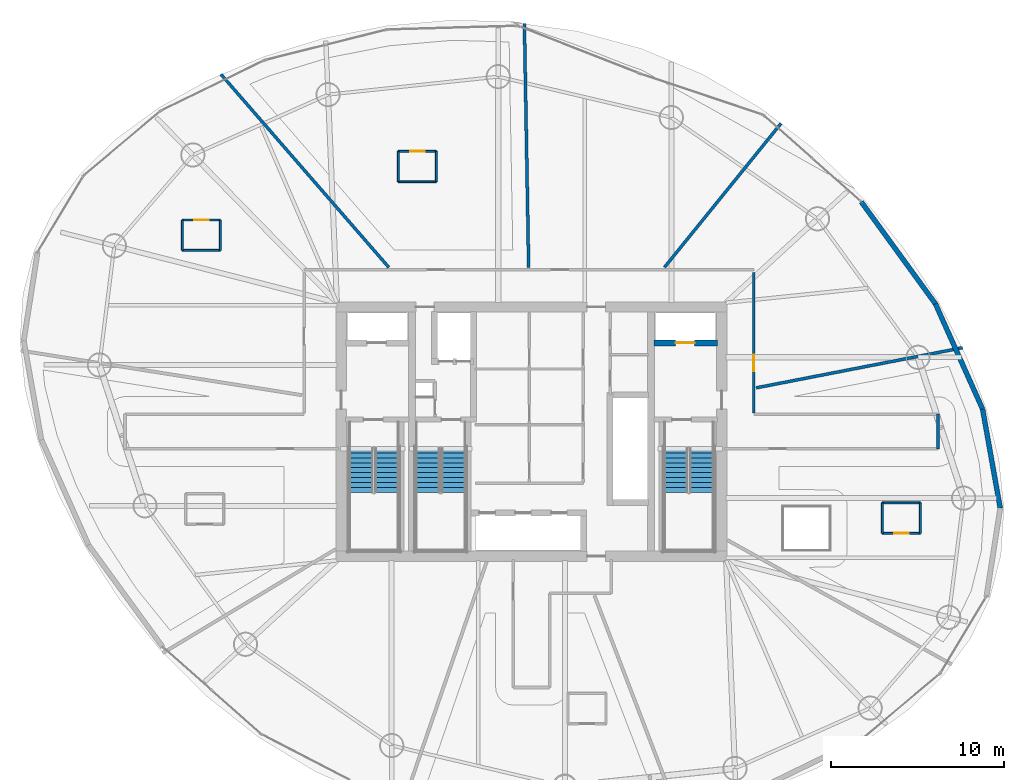
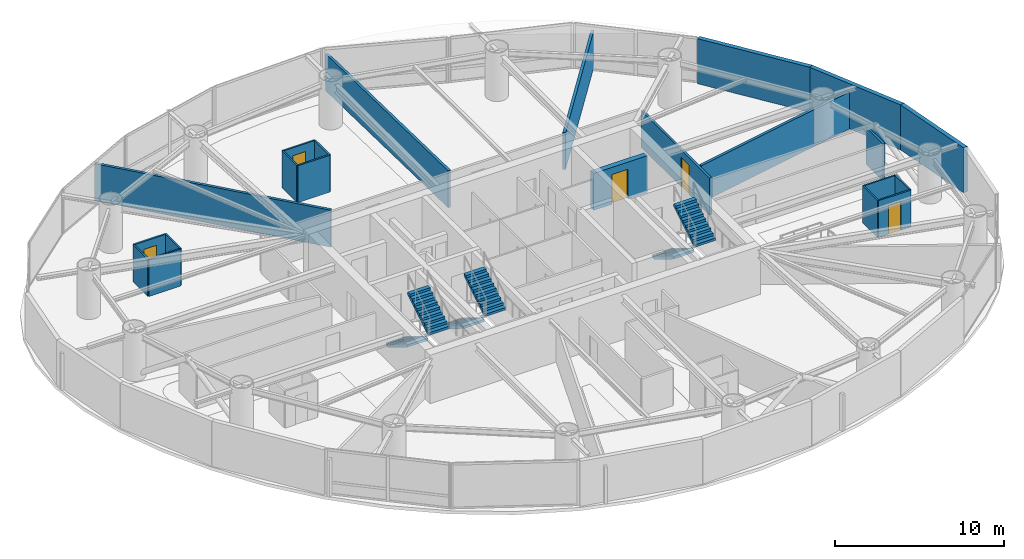
# One storey, part 16 of 20: 22 walls, 6 stair flights, 5 doors, 5 openings, 3 elements without a shape of their own.
"""IFC4 building model written with IfcOpenShell, lengths in metres."""

from ifc_helpers import new_model, si_unit, direction, frame, frame_2d, origin, place, context, subcontext, project, spatial, polyline, rectangle, outline, extrude, material, layer, layer_set, type_object, element, fill, aggregate, save


model = new_model("IFC4")

# Units and contexts
model_context = context("Model", 3, precision=1e-05, world=origin(), true_north=direction((0.0, 1.0)))
body_context = subcontext(model_context, "Body", "Model", "MODEL_VIEW")
ifc_project = project(units=[si_unit("LENGTHUNIT", "METRE"), si_unit("AREAUNIT", "SQUARE_METRE"), si_unit("VOLUMEUNIT", "CUBIC_METRE"), si_unit("PLANEANGLEUNIT", "RADIAN"), si_unit("MASSUNIT", "GRAM", prefix="KILO")], contexts=[model_context])

# Site, building, storey
site_placement = place(None, origin())
site = spatial("IfcSite", under=ifc_project, at=site_placement, CompositionType="ELEMENT")
building_placement = place(site_placement, origin())
building = spatial("IfcBuilding", under=site, at=building_placement, Name="Bramvorn Convention Spire", CompositionType="ELEMENT")
storey_placement = place(building_placement, frame((0.0, 0.0, 113.300048828125)))
storey = spatial("IfcBuildingStorey", under=building, at=storey_placement, Name="L27", CompositionType="ELEMENT", Elevation=113.300048828125)

# Wall, opening, door
ifc_material_1 = material(Name="Concrete C50/60", Category="concrete")
ifc_layer_1 = layer(ifc_material_1, 0.35009765625)
ifc_layer_set_1 = layer_set([ifc_layer_1], Name="Concrete C50/60 - WL-CORE-INT-350")
wall_type_1 = type_object("IfcWallType", Name="WL-CORE-INT-350", PredefinedType="SHEAR", material=ifc_layer_set_1)
wall_1_placement = place(storey_placement, frame((45.080078125, 31.1201171875, 0.0), z_axis=(0.0, 0.0, 1.0), x_axis=(1.0, 0.0, 0.0)))
wall_1 = element("IfcWall", 1, at=wall_1_placement, inside=storey, type_object=wall_type_1, Name="L27 FE2 shaft front wall", PredefinedType="SHEAR", context=body_context, shape_type="SweptSolid", body=[
    extrude(rectangle(XDim=3.669921875, YDim=0.35009765625, at=frame_2d((1.8349609375, 0.0))), origin(), (0.0, 0.0, 1.0), 2.675048828125),
])
opening_1_placement = place(wall_1_placement, frame((1.25, 0.0, 0.0)))
opening_1 = element("IfcOpeningElement", 2, at=opening_1_placement, cuts=wall_1, Name="Opening LD-110", PredefinedType="OPENING", context=body_context, shape_type="SweptSolid", body=[
    extrude(rectangle(XDim=1.10009765625, YDim=2.14990234375, at=frame_2d((0.550048828125, 1.074951171875))), frame((0.0, 0.18505859375, 0.0), z_axis=(0.0, -1.0, 0.0), x_axis=(1.0, 0.0, 0.0)), (0.0, 0.0, 1.0), 0.3701171875),
])
ifc_material_2 = material(Name="Firefighting & Service Lift Sliding Landing Door", Category="steel")
door_type_1 = type_object("IfcDoorType", Name="DR-LIFT-LD-1100", OperationType="NOTDEFINED", PredefinedType="DOOR", material=ifc_material_2)
door_1_placement = place(opening_1_placement, origin())
door_1 = element("IfcDoor", 3, at=door_1_placement, inside=storey, type_object=door_type_1, Name="L27 Lift FE2 Sliding Landing Door", OperationType="SLIDING_TO_LEFT", OverallHeight=2.14990234375, OverallWidth=1.10009765625, PredefinedType="DOOR", context=body_context, shape_type="SweptSolid", body=[
    extrude(rectangle(XDim=1.10009765625, YDim=2.14990234375, at=frame_2d((0.550048828125, 1.074951171875))), frame((0.0, 0.02490234375, 0.0), z_axis=(0.0, -1.0, 0.0), x_axis=(1.0, 0.0, 0.0)), (0.0, 0.0, 1.0), 0.050048828125),
])
fill(opening_1, door_1)

# Walls
ifc_material_3 = material(Name="Precast Concrete C40/50 with Bronze Terracotta Rainscreen", Category="masonry")
ifc_layer_2 = layer(ifc_material_3, 0.300048828125)
ifc_layer_set_2 = layer_set([ifc_layer_2], Name="Precast Concrete C40/50 with Bronze Terracotta Rainscreen - WL-EXT-BRONZE-300")
wall_type_2 = type_object("IfcWallType", Name="WL-EXT-BRONZE-300", PredefinedType="SOLIDWALL", material=ifc_layer_set_2)
wall_2_placement = place(storey_placement, frame((64.07861328125, 27.29833984375, 0.0), z_axis=(0.0, 0.0, 1.0), x_axis=(0.1752202949, -0.984529252107, 0.0)))
element("IfcWall", 4, at=wall_2_placement, inside=storey, type_object=wall_type_2, Name="L27 expressed bronze Gothic lancet pier wall 02", PredefinedType="SOLIDWALL", context=body_context, shape_type="SweptSolid", body=[
    extrude(rectangle(XDim=5.82275390625, YDim=0.280029296875, at=frame_2d((2.911376953125, 0.0))), origin(), (0.0, 0.0, 1.0), 3.260009765625),
])
wall_3_placement = place(storey_placement, frame((61.35302734375, 33.380615234375, 0.0), z_axis=(0.0, 0.0, 1.0), x_axis=(0.408937052671, -0.912562593444, 0.0)))
element("IfcWall", 5, at=wall_3_placement, inside=storey, type_object=wall_type_2, Name="L27 expressed bronze Gothic lancet pier wall 03", PredefinedType="SOLIDWALL", context=body_context, shape_type="SweptSolid", body=[
    extrude(rectangle(XDim=6.6650390625, YDim=0.280029296875, at=frame_2d((3.33251953125, 0.0))), origin(), (0.0, 0.0, 1.0), 3.260009765625),
])
wall_4_placement = place(storey_placement, frame((57.064453125, 39.278076171875, 0.0), z_axis=(0.0, 0.0, 1.0), x_axis=(0.588127899996, -0.808767935347, 0.0)))
element("IfcWall", 6, at=wall_4_placement, inside=storey, type_object=wall_type_2, Name="L27 expressed bronze Gothic lancet pier wall 04", PredefinedType="SOLIDWALL", context=body_context, shape_type="SweptSolid", body=[
    extrude(rectangle(XDim=7.2919921875, YDim=0.280029296875, at=frame_2d((3.64599609375, 0.0))), origin(), (0.0, 0.0, 1.0), 3.260009765625),
])
ifc_material_4 = material(Name="Lightweight En-Suite & Wet-Wall Partition", Category="gypsum")
ifc_layer_3 = layer(ifc_material_4, 0.110107421875)
ifc_layer_set_3 = layer_set([ifc_layer_3], Name="Lightweight En-Suite & Wet-Wall Partition - WL-PART-110")
wall_type_3 = type_object("IfcWallType", Name="WL-PART-110", PredefinedType="PARTITIONING", material=ifc_layer_set_3)
wall_5_placement = place(storey_placement, frame((30.302001953125, 40.44140625, 0.0), z_axis=(0.0, 0.0, 1.0), x_axis=(1.0, 0.0, 0.0)))
element("IfcWall", 7, at=wall_5_placement, inside=storey, type_object=wall_type_3, Name="Hotel Suite 2703 en-suite south wall", PredefinedType="PARTITIONING", context=body_context, shape_type="SweptSolid", body=[
    extrude(rectangle(XDim=2.199951171875, YDim=0.110107421875, at=frame_2d((1.10009765625, 0.0))), origin(), (0.0, 0.0, 1.0), 2.675048828125),
])

# Wall, opening, door
wall_6_placement = place(storey_placement, frame((30.302001953125, 42.201416015625, 0.0), z_axis=(0.0, 0.0, 1.0), x_axis=(1.0, 0.0, 0.0)))
wall_6 = element("IfcWall", 8, at=wall_6_placement, inside=storey, type_object=wall_type_3, Name="Hotel Suite 2703 en-suite north wall", PredefinedType="PARTITIONING", context=body_context, shape_type="SweptSolid", body=[
    extrude(rectangle(XDim=2.199951171875, YDim=0.110107421875, at=frame_2d((1.10009765625, 0.0))), origin(), (0.0, 0.0, 1.0), 2.675048828125),
])
opening_2_placement = place(wall_6_placement, frame((0.679931640625, 0.0, 0.0)))
opening_2 = element("IfcOpeningElement", 9, at=opening_2_placement, cuts=wall_6, Name="Opening DI-085", PredefinedType="OPENING", context=body_context, shape_type="SweptSolid", body=[
    extrude(rectangle(XDim=0.85009765625, YDim=2.10009765625, at=frame_2d((0.425048828125, 1.050048828125))), frame((0.0, 0.06494140625, 0.0), z_axis=(0.0, -1.0, 0.0), x_axis=(1.0, 0.0, 0.0)), (0.0, 0.0, 1.0), 0.130126953125),
])
ifc_material_5 = material(Name="En-Suite & Restroom Privacy Door", Category="wood")
door_type_2 = type_object("IfcDoorType", Name="DR-INT-850", OperationType="NOTDEFINED", PredefinedType="DOOR", material=ifc_material_5)
door_2_placement = place(opening_2_placement, origin())
door_2 = element("IfcDoor", 10, at=door_2_placement, inside=storey, type_object=door_type_2, Name="Hotel Suite 2703 En-Suite Bathroom door", OperationType="SINGLE_SWING_LEFT", OverallHeight=2.10009765625, OverallWidth=0.85009765625, PredefinedType="DOOR", context=body_context, shape_type="SweptSolid", body=[
    extrude(rectangle(XDim=0.85009765625, YDim=2.10009765625, at=frame_2d((0.425048828125, 1.050048828125))), frame((0.0, 0.02490234375, 0.0), z_axis=(0.0, -1.0, 0.0), x_axis=(1.0, 0.0, 0.0)), (0.0, 0.0, 1.0), 0.050048828125),
])
fill(opening_2, door_2)

# Walls
for number, where, z_axis, x_axis, name in (
    (11, (30.302001953125, 40.44140625, 0.0), (0.0, 0.0, 1.0), (0.0, 1.0, 0.0), "Hotel Suite 2703 en-suite west wall"),
    (12, (32.501953125, 40.44140625, 0.0), (0.0, 0.0, 1.0), (0.0, 1.0, 0.0), "Hotel Suite 2703 en-suite east wall"),
):
    element("IfcWall", number, at=place(storey_placement, frame(where, z_axis=z_axis, x_axis=x_axis)), inside=storey, type_object=wall_type_3, Name=name, PredefinedType="PARTITIONING", context=body_context, shape_type="SweptSolid", body=[
        extrude(rectangle(XDim=1.760009765625, YDim=0.110107421875, at=frame_2d((0.8798828125, 0.0))), origin(), (0.0, 0.0, 1.0), 2.675048828125),
    ])
wall_7_placement = place(storey_placement, frame((17.816162109375, 36.469482421875, 0.0), z_axis=(0.0, 0.0, 1.0), x_axis=(1.0, 0.0, 0.0)))
element("IfcWall", 13, at=wall_7_placement, inside=storey, type_object=wall_type_3, Name="Hotel Suite 2704 en-suite south wall", PredefinedType="PARTITIONING", context=body_context, shape_type="SweptSolid", body=[
    extrude(rectangle(XDim=2.199951171875, YDim=0.110107421875, at=frame_2d((1.10009765625, 0.0))), origin(), (0.0, 0.0, 1.0), 2.675048828125),
])

# Wall, opening, door
wall_8_placement = place(storey_placement, frame((17.816162109375, 38.2294921875, 0.0), z_axis=(0.0, 0.0, 1.0), x_axis=(1.0, 0.0, 0.0)))
wall_8 = element("IfcWall", 14, at=wall_8_placement, inside=storey, type_object=wall_type_3, Name="Hotel Suite 2704 en-suite north wall", PredefinedType="PARTITIONING", context=body_context, shape_type="SweptSolid", body=[
    extrude(rectangle(XDim=2.199951171875, YDim=0.110107421875, at=frame_2d((1.10009765625, 0.0))), origin(), (0.0, 0.0, 1.0), 2.675048828125),
])
opening_3_placement = place(wall_8_placement, frame((0.679931640625, 0.0, 0.0)))
opening_3 = element("IfcOpeningElement", 15, at=opening_3_placement, cuts=wall_8, Name="Opening DI-085", PredefinedType="OPENING", context=body_context, shape_type="SweptSolid", body=[
    extrude(rectangle(XDim=0.85009765625, YDim=2.10009765625, at=frame_2d((0.425048828125, 1.050048828125))), frame((0.0, 0.06494140625, 0.0), z_axis=(0.0, -1.0, 0.0), x_axis=(1.0, 0.0, 0.0)), (0.0, 0.0, 1.0), 0.130126953125),
])
door_3_placement = place(opening_3_placement, origin())
door_3 = element("IfcDoor", 16, at=door_3_placement, inside=storey, type_object=door_type_2, Name="Hotel Suite 2704 En-Suite Bathroom door", OperationType="SINGLE_SWING_LEFT", OverallHeight=2.10009765625, OverallWidth=0.85009765625, PredefinedType="DOOR", context=body_context, shape_type="SweptSolid", body=[
    extrude(rectangle(XDim=0.85009765625, YDim=2.10009765625, at=frame_2d((0.425048828125, 1.050048828125))), frame((0.0, 0.02490234375, 0.0), z_axis=(0.0, -1.0, 0.0), x_axis=(1.0, 0.0, 0.0)), (0.0, 0.0, 1.0), 0.050048828125),
])
fill(opening_3, door_3)

# Walls
for number, where, z_axis, x_axis, name in (
    (17, (17.816162109375, 36.469482421875, 0.0), (0.0, 0.0, 1.0), (0.0, 1.0, 0.0), "Hotel Suite 2704 en-suite west wall"),
    (18, (20.01611328125, 36.469482421875, 0.0), (0.0, 0.0, 1.0), (0.0, 1.0, 0.0), "Hotel Suite 2704 en-suite east wall"),
):
    element("IfcWall", number, at=place(storey_placement, frame(where, z_axis=z_axis, x_axis=x_axis)), inside=storey, type_object=wall_type_3, Name=name, PredefinedType="PARTITIONING", context=body_context, shape_type="SweptSolid", body=[
        extrude(rectangle(XDim=1.760009765625, YDim=0.110107421875, at=frame_2d((0.8798828125, 0.0))), origin(), (0.0, 0.0, 1.0), 2.675048828125),
    ])

# Wall, opening, door
wall_9_placement = place(storey_placement, frame((58.285400390625, 20.1142578125, 0.0), z_axis=(0.0, 0.0, 1.0), x_axis=(1.0, 0.0, 0.0)))
wall_9 = element("IfcWall", 19, at=wall_9_placement, inside=storey, type_object=wall_type_3, Name="Hotel Suite 2709 en-suite south wall", PredefinedType="PARTITIONING", context=body_context, shape_type="SweptSolid", body=[
    extrude(rectangle(XDim=2.199951171875, YDim=0.110107421875, at=frame_2d((1.10009765625, 0.0))), origin(), (0.0, 0.0, 1.0), 2.675048828125),
])
opening_4_placement = place(wall_9_placement, frame((0.679931640625, 0.0, 0.0)))
opening_4 = element("IfcOpeningElement", 20, at=opening_4_placement, cuts=wall_9, Name="Opening DI-085", PredefinedType="OPENING", context=body_context, shape_type="SweptSolid", body=[
    extrude(rectangle(XDim=0.85009765625, YDim=2.10009765625, at=frame_2d((0.425048828125, 1.050048828125))), frame((0.0, 0.06494140625, 0.0), z_axis=(0.0, -1.0, 0.0), x_axis=(1.0, 0.0, 0.0)), (0.0, 0.0, 1.0), 0.130126953125),
])
door_4_placement = place(opening_4_placement, origin())
door_4 = element("IfcDoor", 21, at=door_4_placement, inside=storey, type_object=door_type_2, Name="Hotel Suite 2709 En-Suite Bathroom door", OperationType="SINGLE_SWING_LEFT", OverallHeight=2.10009765625, OverallWidth=0.85009765625, PredefinedType="DOOR", context=body_context, shape_type="SweptSolid", body=[
    extrude(rectangle(XDim=0.85009765625, YDim=2.10009765625, at=frame_2d((0.425048828125, 1.050048828125))), frame((0.0, 0.02490234375, 0.0), z_axis=(0.0, -1.0, 0.0), x_axis=(1.0, 0.0, 0.0)), (0.0, 0.0, 1.0), 0.050048828125),
])
fill(opening_4, door_4)

# Walls
wall_10_placement = place(storey_placement, frame((58.285400390625, 21.874267578125, 0.0), z_axis=(0.0, 0.0, 1.0), x_axis=(1.0, 0.0, 0.0)))
element("IfcWall", 22, at=wall_10_placement, inside=storey, type_object=wall_type_3, Name="Hotel Suite 2709 en-suite north wall", PredefinedType="PARTITIONING", context=body_context, shape_type="SweptSolid", body=[
    extrude(rectangle(XDim=2.199951171875, YDim=0.110107421875, at=frame_2d((1.10009765625, 0.0))), origin(), (0.0, 0.0, 1.0), 2.675048828125),
])
for number, where, z_axis, x_axis, name in (
    (23, (58.285400390625, 20.1142578125, 0.0), (0.0, 0.0, 1.0), (0.0, 1.0, 0.0), "Hotel Suite 2709 en-suite west wall"),
    (24, (60.4853515625, 20.1142578125, 0.0), (0.0, 0.0, 1.0), (0.0, 1.0, 0.0), "Hotel Suite 2709 en-suite east wall"),
):
    element("IfcWall", number, at=place(storey_placement, frame(where, z_axis=z_axis, x_axis=x_axis)), inside=storey, type_object=wall_type_3, Name=name, PredefinedType="PARTITIONING", context=body_context, shape_type="SweptSolid", body=[
        extrude(rectangle(XDim=1.760009765625, YDim=0.110107421875, at=frame_2d((0.8798828125, 0.0))), origin(), (0.0, 0.0, 1.0), 2.675048828125),
    ])

# Wall, opening, door
ifc_material_6 = material(Name="Acoustic Metal-Stud Tenant/Corridor Partition", Category="gypsum")
ifc_layer_4 = layer(ifc_material_6, 0.14990234375)
ifc_layer_set_4 = layer_set([ifc_layer_4], Name="Acoustic Metal-Stud Tenant/Corridor Partition - WL-PART-150")
wall_type_4 = type_object("IfcWallType", Name="WL-PART-150", PredefinedType="PARTITIONING", material=ifc_layer_set_4)
wall_11_placement = place(storey_placement, frame((50.85009765625, 27.080078125, 0.0), z_axis=(0.0, 0.0, 1.0), x_axis=(0.0, 1.0, 0.0)))
wall_11 = element("IfcWall", 25, at=wall_11_placement, inside=storey, type_object=wall_type_4, Name="L27 NE gallery cheek", PredefinedType="PARTITIONING", context=body_context, shape_type="SweptSolid", body=[
    extrude(rectangle(XDim=8.119873046875, YDim=0.14990234375, at=frame_2d((4.06005859375, 0.0))), origin(), (0.0, 0.0, 1.0), 2.675048828125),
])
opening_5_placement = place(wall_11_placement, frame((2.41357421875, 0.0, 0.0)))
opening_5 = element("IfcOpeningElement", 26, at=opening_5_placement, cuts=wall_11, Name="Opening DH-095", PredefinedType="OPENING", context=body_context, shape_type="SweptSolid", body=[
    extrude(rectangle(XDim=0.949951171875, YDim=2.14990234375, at=frame_2d((0.47509765625, 1.074951171875))), frame((0.0, 0.0849609375, 0.0), z_axis=(0.0, -1.0, 0.0), x_axis=(1.0, 0.0, 0.0)), (0.0, 0.0, 1.0), 0.169921875),
])
ifc_material_7 = material(Name="Solid-Core Acoustic Guestroom Entry Door", Category="wood")
door_type_3 = type_object("IfcDoorType", Name="DR-HOTEL-950", OperationType="NOTDEFINED", PredefinedType="DOOR", material=ifc_material_7)
door_5_placement = place(opening_5_placement, origin())
door_5 = element("IfcDoor", 27, at=door_5_placement, inside=storey, type_object=door_type_3, Name="L27 Hospitality Lounge 1 door", OperationType="SINGLE_SWING_RIGHT", OverallHeight=2.14990234375, OverallWidth=0.949951171875, PredefinedType="DOOR", context=body_context, shape_type="SweptSolid", body=[
    extrude(rectangle(XDim=0.949951171875, YDim=2.14990234375, at=frame_2d((0.47509765625, 1.074951171875))), frame((0.0, 0.02490234375, 0.0), z_axis=(0.0, -1.0, 0.0), x_axis=(1.0, 0.0, 0.0)), (0.0, 0.0, 1.0), 0.050048828125),
])
fill(opening_5, door_5)

# Walls
wall_12_placement = place(storey_placement, frame((61.5, 25.0, 0.0), z_axis=(0.0, 0.0, 1.0), x_axis=(0.0, 1.0, 0.0)))
element("IfcWall", 28, at=wall_12_placement, inside=storey, type_object=wall_type_4, Name="L27 East wing spine end wall", PredefinedType="PARTITIONING", context=body_context, shape_type="SweptSolid", body=[
    extrude(rectangle(XDim=2.0, YDim=0.14990234375, at=frame_2d((1.0, 0.0))), origin(), (0.0, 0.0, 1.0), 2.675048828125),
])
ifc_material_8 = material(Name="Double-Stud Acoustic Hotel/Suite Partition", Category="gypsum")
ifc_layer_5 = layer(ifc_material_8, 0.175048828125)
ifc_layer_set_5 = layer_set([ifc_layer_5], Name="Double-Stud Acoustic Hotel/Suite Partition - WL-PART-175")
wall_type_5 = type_object("IfcWallType", Name="WL-PART-175", PredefinedType="PARTITIONING", material=ifc_layer_set_5)
wall_13_placement = place(storey_placement, frame((50.989990234375, 28.52490234375, 0.0), z_axis=(0.0, 0.0, 1.0), x_axis=(0.981623433526, 0.190828286041, 0.0)))
element("IfcWall", 29, at=wall_13_placement, inside=storey, type_object=wall_type_5, Name="L27 Guestroom demising wall 1", PredefinedType="PARTITIONING", context=body_context, shape_type="SweptSolid", body=[
    extrude(rectangle(XDim=12.16162109375, YDim=0.175048828125, at=frame_2d((6.080810546875, 0.0))), origin(), (0.0, 0.0, 1.0), 2.675048828125),
])
wall_14_placement = place(storey_placement, frame((45.684814453125, 35.489990234375, 0.0), z_axis=(0.0, 0.0, 1.0), x_axis=(0.629313518397, 0.777151526771, 0.0)))
element("IfcWall", 30, at=wall_14_placement, inside=storey, type_object=wall_type_5, Name="L27 Guestroom demising wall 2", PredefinedType="PARTITIONING", context=body_context, shape_type="SweptSolid", body=[
    extrude(rectangle(XDim=10.720947265625, YDim=0.175048828125, at=frame_2d((5.3603515625, 0.0))), origin(), (0.0, 0.0, 1.0), 2.675048828125),
])
wall_15_placement = place(storey_placement, frame((37.83447265625, 35.489990234375, 0.0), z_axis=(0.0, 0.0, 1.0), x_axis=(-0.017456722222, 0.999847619815, 0.0)))
element("IfcWall", 31, at=wall_15_placement, inside=storey, type_object=wall_type_5, Name="L27 Guestroom demising wall 3", PredefinedType="PARTITIONING", context=body_context, shape_type="SweptSolid", body=[
    extrude(rectangle(XDim=14.097412109375, YDim=0.175048828125, at=frame_2d((7.048828125, 0.0))), origin(), (0.0, 0.0, 1.0), 2.675048828125),
])
wall_16_placement = place(storey_placement, frame((29.75048828125, 35.489990234375, 0.0), z_axis=(0.0, 0.0, 1.0), x_axis=(-0.656052099028, 0.754715604291, 0.0)))
element("IfcWall", 32, at=wall_16_placement, inside=storey, type_object=wall_type_5, Name="L27 Guestroom demising wall 4", PredefinedType="PARTITIONING", context=body_context, shape_type="SweptSolid", body=[
    extrude(rectangle(XDim=14.7998046875, YDim=0.175048828125, at=frame_2d((7.39990234375, 0.0))), origin(), (0.0, 0.0, 1.0), 2.675048828125),
])

# Stair, stair flights
ifc_material_9 = material(Name="Concrete C40/50 Precast Stair", Category="concrete")
stair_type = type_object("IfcStairType", Name="ST-TOWER-1550", PredefinedType="HALF_TURN_STAIR", material=ifc_material_9)
stair_1_placement = place(storey_placement, origin())
stair_1 = element("IfcStair", 33, at=stair_1_placement, inside=storey, type_object=stair_type, Name="L27 Protected Exit Stair ST1", PredefinedType="HALF_TURN_STAIR")
ifc_material_10 = material(Name="Concrete C40/50 Precast Stair Flight", Category="concrete")
stair_flight_type = type_object("IfcStairFlightType", Name="STF-TOWER-1550", PredefinedType="STRAIGHT", material=ifc_material_10)
stair_flight_1_placement = place(storey_placement, frame((28.155029296875, 25.050048828125, 0.0), z_axis=(0.0, 0.0, 1.0), x_axis=(0.0, -1.0, 0.0)))
stair_flight_1 = element("IfcStairFlight", 34, at=stair_flight_1_placement, type_object=stair_flight_type, Name="ST1 flight 1", NumberOfRisers=10, NumberOfTreads=9, PredefinedType="STRAIGHT", RiserHeight=0.175, TreadLength=0.285, context=body_context, shape_type="SweptSolid", body=[
    extrude(outline(polyline([(0.0, 0.0), (0.0, 0.175048828125), (0.284912109375, 0.175048828125), (0.284912109375, 0.35009765625), (0.570068359375, 0.35009765625), (0.570068359375, 0.52490234375), (0.85498046875, 0.52490234375), (0.85498046875, 0.699951171875), (1.139892578125, 0.699951171875), (1.139892578125, 0.875), (1.425048828125, 0.875), (1.425048828125, 1.050048828125), (1.7099609375, 1.050048828125), (1.7099609375, 1.22509765625), (1.9951171875, 1.22509765625), (1.9951171875, 1.39990234375), (2.280029296875, 1.39990234375), (2.280029296875, 1.574951171875), (2.56494140625, 1.574951171875), (2.56494140625, 1.75), (2.56494140625, 1.399169921875), (0.286376953125, 0.0), (0.0, 0.0)])), frame((0.0, 0.705078125, 0.0), z_axis=(0.0, -1.0, 0.0), x_axis=(1.0, 0.0, 0.0)), (0.0, 0.0, 1.0), 1.409912109375),
])
stair_flight_2_placement = place(storey_placement, frame((29.64501953125, 22.485107421875, 1.75), z_axis=(0.0, 0.0, 1.0), x_axis=(0.0, 1.0, 0.0)))
stair_flight_2 = element("IfcStairFlight", 35, at=stair_flight_2_placement, type_object=stair_flight_type, Name="ST1 flight 2", NumberOfRisers=10, NumberOfTreads=9, PredefinedType="STRAIGHT", RiserHeight=0.175, TreadLength=0.285, context=body_context, shape_type="SweptSolid", body=[
    extrude(outline(polyline([(0.0, 0.0), (0.0, 0.175048828125), (0.284912109375, 0.175048828125), (0.284912109375, 0.35009765625), (0.570068359375, 0.35009765625), (0.570068359375, 0.52490234375), (0.85498046875, 0.52490234375), (0.85498046875, 0.699951171875), (1.139892578125, 0.699951171875), (1.139892578125, 0.875), (1.425048828125, 0.875), (1.425048828125, 1.050048828125), (1.7099609375, 1.050048828125), (1.7099609375, 1.22509765625), (1.9951171875, 1.22509765625), (1.9951171875, 1.39990234375), (2.280029296875, 1.39990234375), (2.280029296875, 1.574951171875), (2.56494140625, 1.574951171875), (2.56494140625, 1.75), (2.56494140625, 1.399169921875), (0.286376953125, 0.0), (0.0, 0.0)])), frame((0.0, 0.705078125, 0.0), z_axis=(0.0, -1.0, 0.0), x_axis=(1.0, 0.0, 0.0)), (0.0, 0.0, 1.0), 1.409912109375),
])
aggregate(stair_1, [stair_flight_1, stair_flight_2])

stair_2_placement = place(storey_placement, origin())
stair_2 = element("IfcStair", 36, at=stair_2_placement, inside=storey, type_object=stair_type, Name="L27 Protected Exit Stair ST2", PredefinedType="HALF_TURN_STAIR")
stair_flight_3_placement = place(storey_placement, frame((46.35498046875, 25.050048828125, 0.0), z_axis=(0.0, 0.0, 1.0), x_axis=(0.0, -1.0, 0.0)))
stair_flight_3 = element("IfcStairFlight", 37, at=stair_flight_3_placement, type_object=stair_flight_type, Name="ST2 flight 1", NumberOfRisers=10, NumberOfTreads=9, PredefinedType="STRAIGHT", RiserHeight=0.175, TreadLength=0.285, context=body_context, shape_type="SweptSolid", body=[
    extrude(outline(polyline([(0.0, 0.0), (0.0, 0.175048828125), (0.284912109375, 0.175048828125), (0.284912109375, 0.35009765625), (0.570068359375, 0.35009765625), (0.570068359375, 0.52490234375), (0.85498046875, 0.52490234375), (0.85498046875, 0.699951171875), (1.139892578125, 0.699951171875), (1.139892578125, 0.875), (1.425048828125, 0.875), (1.425048828125, 1.050048828125), (1.7099609375, 1.050048828125), (1.7099609375, 1.22509765625), (1.9951171875, 1.22509765625), (1.9951171875, 1.39990234375), (2.280029296875, 1.39990234375), (2.280029296875, 1.574951171875), (2.56494140625, 1.574951171875), (2.56494140625, 1.75), (2.56494140625, 1.399169921875), (0.286376953125, 0.0), (0.0, 0.0)])), frame((0.0, 0.705078125, 0.0), z_axis=(0.0, -1.0, 0.0), x_axis=(1.0, 0.0, 0.0)), (0.0, 0.0, 1.0), 1.409912109375),
])
stair_flight_4_placement = place(storey_placement, frame((47.844970703125, 22.485107421875, 1.75), z_axis=(0.0, 0.0, 1.0), x_axis=(0.0, 1.0, 0.0)))
stair_flight_4 = element("IfcStairFlight", 38, at=stair_flight_4_placement, type_object=stair_flight_type, Name="ST2 flight 2", NumberOfRisers=10, NumberOfTreads=9, PredefinedType="STRAIGHT", RiserHeight=0.175, TreadLength=0.285, context=body_context, shape_type="SweptSolid", body=[
    extrude(outline(polyline([(0.0, 0.0), (0.0, 0.175048828125), (0.284912109375, 0.175048828125), (0.284912109375, 0.35009765625), (0.570068359375, 0.35009765625), (0.570068359375, 0.52490234375), (0.85498046875, 0.52490234375), (0.85498046875, 0.699951171875), (1.139892578125, 0.699951171875), (1.139892578125, 0.875), (1.425048828125, 0.875), (1.425048828125, 1.050048828125), (1.7099609375, 1.050048828125), (1.7099609375, 1.22509765625), (1.9951171875, 1.22509765625), (1.9951171875, 1.39990234375), (2.280029296875, 1.39990234375), (2.280029296875, 1.574951171875), (2.56494140625, 1.574951171875), (2.56494140625, 1.75), (2.56494140625, 1.399169921875), (0.286376953125, 0.0), (0.0, 0.0)])), frame((0.0, 0.705078125, 0.0), z_axis=(0.0, -1.0, 0.0), x_axis=(1.0, 0.0, 0.0)), (0.0, 0.0, 1.0), 1.409912109375),
])
aggregate(stair_2, [stair_flight_3, stair_flight_4])

stair_3_placement = place(storey_placement, origin())
stair_3 = element("IfcStair", 39, at=stair_3_placement, inside=storey, type_object=stair_type, Name="L27 Protected Exit Stair ST3", PredefinedType="HALF_TURN_STAIR")
stair_flight_5_placement = place(storey_placement, frame((32.0048828125, 25.050048828125, 0.0), z_axis=(0.0, 0.0, 1.0), x_axis=(0.0, -1.0, 0.0)))
stair_flight_5 = element("IfcStairFlight", 40, at=stair_flight_5_placement, type_object=stair_flight_type, Name="ST3 flight 1", NumberOfRisers=10, NumberOfTreads=9, PredefinedType="STRAIGHT", RiserHeight=0.175, TreadLength=0.285, context=body_context, shape_type="SweptSolid", body=[
    extrude(outline(polyline([(0.0, 0.0), (0.0, 0.175048828125), (0.284912109375, 0.175048828125), (0.284912109375, 0.35009765625), (0.570068359375, 0.35009765625), (0.570068359375, 0.52490234375), (0.85498046875, 0.52490234375), (0.85498046875, 0.699951171875), (1.139892578125, 0.699951171875), (1.139892578125, 0.875), (1.425048828125, 0.875), (1.425048828125, 1.050048828125), (1.7099609375, 1.050048828125), (1.7099609375, 1.22509765625), (1.9951171875, 1.22509765625), (1.9951171875, 1.39990234375), (2.280029296875, 1.39990234375), (2.280029296875, 1.574951171875), (2.56494140625, 1.574951171875), (2.56494140625, 1.75), (2.56494140625, 1.399169921875), (0.286376953125, 0.0), (0.0, 0.0)])), frame((0.0, 0.705078125, 0.0), z_axis=(0.0, -1.0, 0.0), x_axis=(1.0, 0.0, 0.0)), (0.0, 0.0, 1.0), 1.409912109375),
])
stair_flight_6_placement = place(storey_placement, frame((33.4951171875, 22.485107421875, 1.75), z_axis=(0.0, 0.0, 1.0), x_axis=(0.0, 1.0, 0.0)))
stair_flight_6 = element("IfcStairFlight", 41, at=stair_flight_6_placement, type_object=stair_flight_type, Name="ST3 flight 2", NumberOfRisers=10, NumberOfTreads=9, PredefinedType="STRAIGHT", RiserHeight=0.175, TreadLength=0.285, context=body_context, shape_type="SweptSolid", body=[
    extrude(outline(polyline([(0.0, 0.0), (0.0, 0.175048828125), (0.284912109375, 0.175048828125), (0.284912109375, 0.35009765625), (0.570068359375, 0.35009765625), (0.570068359375, 0.52490234375), (0.85498046875, 0.52490234375), (0.85498046875, 0.699951171875), (1.139892578125, 0.699951171875), (1.139892578125, 0.875), (1.425048828125, 0.875), (1.425048828125, 1.050048828125), (1.7099609375, 1.050048828125), (1.7099609375, 1.22509765625), (1.9951171875, 1.22509765625), (1.9951171875, 1.39990234375), (2.280029296875, 1.39990234375), (2.280029296875, 1.574951171875), (2.56494140625, 1.574951171875), (2.56494140625, 1.75), (2.56494140625, 1.399169921875), (0.286376953125, 0.0), (0.0, 0.0)])), frame((0.0, 0.705078125, 0.0), z_axis=(0.0, -1.0, 0.0), x_axis=(1.0, 0.0, 0.0)), (0.0, 0.0, 1.0), 1.409912109375),
])
aggregate(stair_3, [stair_flight_5, stair_flight_6])

save(model, "model.ifc")
